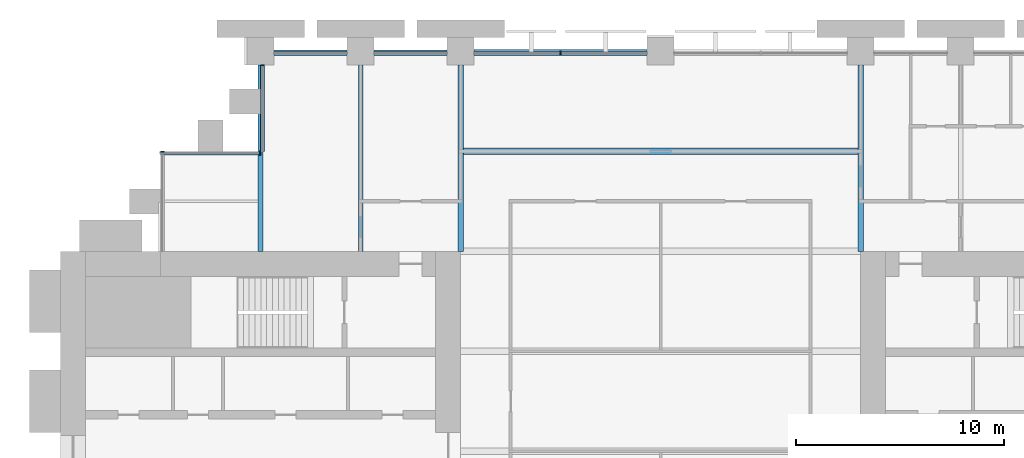
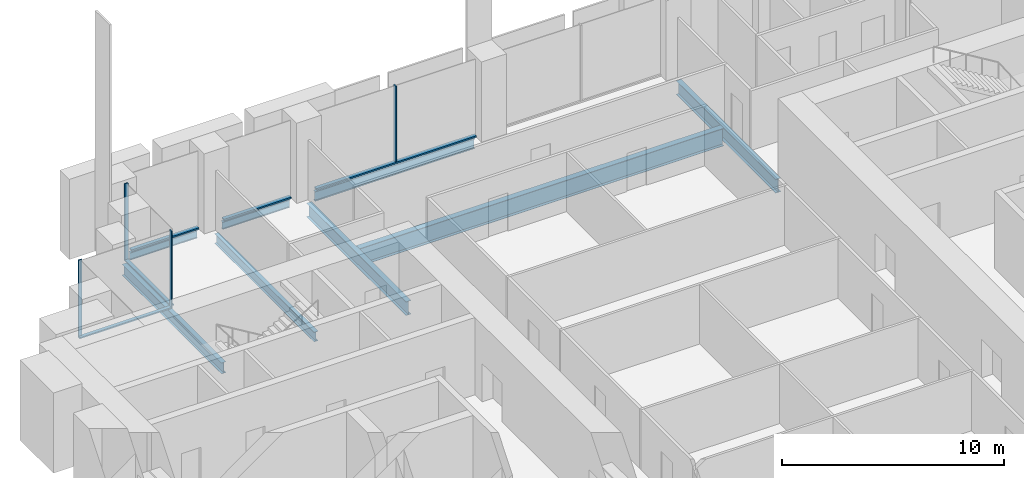
# One storey, part 12 of 22: 9 members, 8 beams, 4 elements without a shape of their own.
"""IFC4 building model written with IfcOpenShell, lengths in metres."""

from ifc_helpers import new_model, si_unit, direction, frame, origin, origin_2d, place, context, subcontext, project, spatial, rectangle, i_section, extrude, material, material_profile, profile_set, type_object, element, aggregate, save


model = new_model("IFC4")

# Units and contexts
model_context = context("Model", 3, precision=1e-05, world=origin(), true_north=direction((0.0, 1.0)))
body_context = subcontext(model_context, "Body", "Model", "MODEL_VIEW")
ifc_project = project(units=[si_unit("LENGTHUNIT", "METRE"), si_unit("AREAUNIT", "SQUARE_METRE"), si_unit("VOLUMEUNIT", "CUBIC_METRE"), si_unit("PLANEANGLEUNIT", "RADIAN"), si_unit("MASSUNIT", "GRAM", prefix="KILO")], contexts=[model_context])

# Site, building, storey
site_placement = place(None, origin())
site = spatial("IfcSite", under=ifc_project, at=site_placement, CompositionType="ELEMENT")
building_placement = place(site_placement, origin())
building = spatial("IfcBuilding", under=site, at=building_placement, Name="Baori Bourse Tower", CompositionType="ELEMENT")
storey_placement = place(building_placement, frame((0.0, 0.0, 25.800048828125)))
storey = spatial("IfcBuildingStorey", under=building, at=storey_placement, Name="L04", CompositionType="ELEMENT", Elevation=25.800048828125)

# Curtain wall, members
ifc_material_1 = material(Name="Pale anodised aluminium", Category="aluminium")
curtain_wall_type_1 = type_object("IfcCurtainWallType", Name="CW1 Curtain wall", PredefinedType="NOTDEFINED", material=ifc_material_1)
curtain_wall_1_placement = place(storey_placement, origin())
curtain_wall_1 = element("IfcCurtainWall", 1, at=curtain_wall_1_placement, inside=storey, type_object=curtain_wall_type_1, Name="Curtain wall CW1 L04 4", PredefinedType="NOTDEFINED")
ifc_material_2 = material(Name="Pale anodised aluminium", Category="aluminium")
ifc_material_profile_1 = material_profile(ifc_material_2, rectangle(XDim=0.199951171875, YDim=0.06005859375, at=origin_2d()), Name="Mullion 60x200")
ifc_profile_set_1 = profile_set([ifc_material_profile_1], Name="Pale anodised aluminium")
member_type_1 = type_object("IfcMemberType", Name="CW1 Curtain wall mullion", PredefinedType="MULLION", material=ifc_profile_set_1)
member_1_placement = place(storey_placement, frame((24.0, 47.89990234375, 0.079833984375), z_axis=(0.0, 0.0, 1.0), x_axis=(0.0, -1.0, 0.0)))
member_1 = element("IfcMember", 2, at=member_1_placement, type_object=member_type_1, Name="Curtain wall CW1 mullion", PredefinedType="MULLION", context=body_context, shape_type="SweptSolid", body=[
    extrude(rectangle(XDim=0.199951171875, YDim=0.06005859375, at=origin_2d()), origin(), (0.0, 0.0, 1.0), 4.16015625),
])
ifc_material_3 = material(Name="Pale anodised aluminium", Category="aluminium")
ifc_material_profile_2 = material_profile(ifc_material_3, rectangle(XDim=0.199951171875, YDim=0.080078125, at=origin_2d()), Name="Transom 80x200")
ifc_profile_set_2 = profile_set([ifc_material_profile_2], Name="Pale anodised aluminium")
member_type_2 = type_object("IfcMemberType", Name="CW1 Curtain wall transom", PredefinedType="USERDEFINED", material=ifc_profile_set_2)
member_2_placement = place(storey_placement, frame((28.14990234375, 47.89990234375, 0.0400390625), z_axis=(-1.0, 0.0, 0.0), x_axis=(0.0, -1.0, 0.0)))
member_2 = element("IfcMember", 3, at=member_2_placement, type_object=member_type_2, Name="Curtain wall CW1 sill rail", ObjectType="TRANSOM", PredefinedType="USERDEFINED", context=body_context, shape_type="SweptSolid", body=[
    extrude(rectangle(XDim=0.199951171875, YDim=0.080078125, at=origin_2d()), origin(), (0.0, 0.0, 1.0), 8.2998046875),
])
member_3_placement = place(storey_placement, frame((18.550048828125, 47.89990234375, 0.0400390625), z_axis=(-1.0, 0.0, 0.0), x_axis=(0.0, -1.0, 0.0)))
member_3 = element("IfcMember", 4, at=member_3_placement, type_object=member_type_2, Name="Curtain wall CW1 sill rail", ObjectType="TRANSOM", PredefinedType="USERDEFINED", context=body_context, shape_type="SweptSolid", body=[
    extrude(rectangle(XDim=0.199951171875, YDim=0.080078125, at=origin_2d()), origin(), (0.0, 0.0, 1.0), 3.5),
])
member_4_placement = place(storey_placement, frame((13.75, 47.89990234375, 0.0400390625), z_axis=(-1.0, 0.0, 0.0), x_axis=(0.0, -1.0, 0.0)))
member_4 = element("IfcMember", 5, at=member_4_placement, type_object=member_type_2, Name="Curtain wall CW1 sill rail", ObjectType="TRANSOM", PredefinedType="USERDEFINED", context=body_context, shape_type="SweptSolid", body=[
    extrude(rectangle(XDim=0.199951171875, YDim=0.080078125, at=origin_2d()), origin(), (0.0, 0.0, 1.0), 3.5),
])
aggregate(curtain_wall_1, [member_2, member_1, member_3, member_4])

# Curtain wall, member
ifc_material_4 = material(Name="Pale anodised aluminium", Category="aluminium")
curtain_wall_type_2 = type_object("IfcCurtainWallType", Name="CW2 Curtain wall", PredefinedType="NOTDEFINED", material=ifc_material_4)
curtain_wall_2_placement = place(storey_placement, origin())
curtain_wall_2 = element("IfcCurtainWall", 6, at=curtain_wall_2_placement, inside=storey, type_object=curtain_wall_type_2, Name="Curtain wall CW2 L04 5", PredefinedType="NOTDEFINED")
ifc_material_5 = material(Name="Pale anodised aluminium", Category="aluminium")
ifc_material_profile_3 = material_profile(ifc_material_5, rectangle(XDim=0.179931640625, YDim=0.054931640625, at=origin_2d()), Name="Mullion 55x180")
ifc_profile_set_3 = profile_set([ifc_material_profile_3], Name="Pale anodised aluminium")
member_type_3 = type_object("IfcMemberType", Name="CW2 Curtain wall mullion", PredefinedType="MULLION", material=ifc_profile_set_3)
member_5_placement = place(storey_placement, frame((9.68994140625, 47.322509765625, 0.070068359375), z_axis=(0.0, 0.0, 1.0), x_axis=(1.0, 0.0, 0.0)))
member_5 = element("IfcMember", 7, at=member_5_placement, type_object=member_type_3, Name="Curtain wall CW2 mullion", PredefinedType="MULLION", context=body_context, shape_type="SweptSolid", body=[
    extrude(rectangle(XDim=0.179931640625, YDim=0.054931640625, at=origin_2d()), origin(), (0.0, 0.0, 1.0), 4.169921875),
])

curtain_wall_3_placement = place(storey_placement, origin())
curtain_wall_3 = element("IfcCurtainWall", 8, at=curtain_wall_3_placement, inside=storey, type_object=curtain_wall_type_2, Name="Curtain wall CW2 L04 6", PredefinedType="NOTDEFINED")
member_6_placement = place(storey_placement, frame((9.572509765625, 43.110107421875, 0.070068359375), z_axis=(0.0, 0.0, 1.0), x_axis=(0.0, -1.0, 0.0)))
member_6 = element("IfcMember", 9, at=member_6_placement, type_object=member_type_3, Name="Curtain wall CW2 mullion", PredefinedType="MULLION", context=body_context, shape_type="SweptSolid", body=[
    extrude(rectangle(XDim=0.179931640625, YDim=0.054931640625, at=origin_2d()), origin(), (0.0, 0.0, 1.0), 4.169921875),
])

curtain_wall_4_placement = place(storey_placement, origin())
curtain_wall_4 = element("IfcCurtainWall", 10, at=curtain_wall_4_placement, inside=storey, type_object=curtain_wall_type_2, Name="Curtain wall CW2 L04 7", PredefinedType="NOTDEFINED")
member_7_placement = place(storey_placement, frame((4.889892578125, 43.172607421875, 0.070068359375), z_axis=(0.0, 0.0, 1.0), x_axis=(1.0, 0.0, 0.0)))
member_7 = element("IfcMember", 11, at=member_7_placement, type_object=member_type_3, Name="Curtain wall CW2 mullion", PredefinedType="MULLION", context=body_context, shape_type="SweptSolid", body=[
    extrude(rectangle(XDim=0.179931640625, YDim=0.054931640625, at=origin_2d()), origin(), (0.0, 0.0, 1.0), 4.169921875),
])
aggregate(curtain_wall_4, [member_7])

# Member
ifc_material_6 = material(Name="Pale anodised aluminium", Category="aluminium")
ifc_material_profile_4 = material_profile(ifc_material_6, rectangle(XDim=0.179931640625, YDim=0.070068359375, at=origin_2d()), Name="Transom 70x180")
ifc_profile_set_4 = profile_set([ifc_material_profile_4], Name="Pale anodised aluminium")
member_type_4 = type_object("IfcMemberType", Name="CW2 Curtain wall transom", PredefinedType="USERDEFINED", material=ifc_profile_set_4)
member_8_placement = place(storey_placement, frame((9.68994140625, 47.35009765625, 0.034912109375), z_axis=(0.0, -1.0, 0.0), x_axis=(1.0, 0.0, 0.0)))
member_8 = element("IfcMember", 12, at=member_8_placement, type_object=member_type_4, Name="Curtain wall CW2 sill rail", ObjectType="TRANSOM", PredefinedType="USERDEFINED", context=body_context, shape_type="SweptSolid", body=[
    extrude(rectangle(XDim=0.179931640625, YDim=0.070068359375, at=origin_2d()), origin(), (0.0, 0.0, 1.0), 4.150146484375),
])

aggregate(curtain_wall_2, [member_8, member_5])

member_9_placement = place(storey_placement, frame((9.60009765625, 43.110107421875, 0.034912109375), z_axis=(-1.0, 0.0, 0.0), x_axis=(0.0, -1.0, 0.0)))
member_9 = element("IfcMember", 13, at=member_9_placement, type_object=member_type_4, Name="Curtain wall CW2 sill rail", ObjectType="TRANSOM", PredefinedType="USERDEFINED", context=body_context, shape_type="SweptSolid", body=[
    extrude(rectangle(XDim=0.179931640625, YDim=0.070068359375, at=origin_2d()), origin(), (0.0, 0.0, 1.0), 4.800048828125),
])

aggregate(curtain_wall_3, [member_9, member_6])

# Beams
ifc_material_7 = material(Name="Steel A992 Gr 50", Category="steel")
ifc_material_profile_5 = material_profile(ifc_material_7, i_section(OverallWidth=0.140380859375, OverallDepth=0.40380859375, WebThickness=0.007080078125, FlangeThickness=0.01123046875, at=origin_2d()), Name="W16x31")
ifc_profile_set_5 = profile_set([ifc_material_profile_5], Name="Steel A992 Gr 50")
beam_type_1 = type_object("IfcBeamType", Name="Edge beam W16x31", PredefinedType="BEAM", material=ifc_profile_set_5)
for number, where, z_axis, x_axis, name in (
    (14, (10.25, 48.0, -0.362060546875), (1.0, 0.0, 0.0), (0.0, 1.0, 0.0), "Edge beam L04"),
    (15, (15.050048828125, 48.0, -0.362060546875), (1.0, 0.0, 0.0), (0.0, 1.0, 0.0), "Edge beam L04"),
):
    element("IfcBeam", number, at=place(storey_placement, frame(where, z_axis=z_axis, x_axis=x_axis)), inside=storey, type_object=beam_type_1, Name=name, PredefinedType="BEAM", context=body_context, shape_type="SweptSolid", body=[
        extrude(i_section(OverallWidth=0.140380859375, OverallDepth=0.40380859375, WebThickness=0.007080078125, FlangeThickness=0.01123046875, at=origin_2d()), origin(), (0.0, 0.0, 1.0), 3.5),
    ])
ifc_material_8 = material(Name="Steel A992 Gr 50", Category="steel")
ifc_material_profile_6 = material_profile(ifc_material_8, i_section(OverallWidth=0.1650390625, OverallDepth=0.52587890625, WebThickness=0.0087890625, FlangeThickness=0.011474609375, at=origin_2d()), Name="W21x44")
ifc_profile_set_6 = profile_set([ifc_material_profile_6], Name="Steel A992 Gr 50")
beam_type_2 = type_object("IfcBeamType", Name="Edge beam W21x44", PredefinedType="BEAM", material=ifc_profile_set_6)
beam_1_placement = place(storey_placement, frame((19.85009765625, 48.0, -0.4228515625), z_axis=(1.0, 0.0, 0.0), x_axis=(0.0, 1.0, 0.0)))
element("IfcBeam", 16, at=beam_1_placement, inside=storey, type_object=beam_type_2, Name="Edge beam L04", PredefinedType="BEAM", context=body_context, shape_type="SweptSolid", body=[
    extrude(i_section(OverallWidth=0.1650390625, OverallDepth=0.52587890625, WebThickness=0.0087890625, FlangeThickness=0.011474609375, at=origin_2d()), origin(), (0.0, 0.0, 1.0), 8.2998046875),
])
ifc_material_9 = material(Name="Steel A992 Gr 50", Category="steel")
ifc_material_profile_7 = material_profile(ifc_material_9, i_section(OverallWidth=0.209228515625, OverallDepth=0.533447265625, WebThickness=0.01025390625, FlangeThickness=0.015625, at=origin_2d()), Name="W21x62")
ifc_profile_set_7 = profile_set([ifc_material_profile_7], Name="Steel A992 Gr 50")
beam_type_3 = type_object("IfcBeamType", Name="Floor beam W21x62", PredefinedType="BEAM", material=ifc_profile_set_7)
beam_2_placement = place(storey_placement, frame((14.39990234375, 38.39990234375, -0.4267578125), z_axis=(0.0, 1.0, 0.0), x_axis=(-1.0, 0.0, 0.0)))
element("IfcBeam", 17, at=beam_2_placement, inside=storey, type_object=beam_type_3, Name="Floor beam L04", PredefinedType="BEAM", context=body_context, shape_type="SweptSolid", body=[
    extrude(i_section(OverallWidth=0.209228515625, OverallDepth=0.533447265625, WebThickness=0.01025390625, FlangeThickness=0.015625, at=origin_2d()), origin(), (0.0, 0.0, 1.0), 8.9501953125),
])
ifc_material_10 = material(Name="Steel A992 Gr 50", Category="steel")
ifc_material_profile_8 = material_profile(ifc_material_10, i_section(OverallWidth=0.227783203125, OverallDepth=0.60205078125, WebThickness=0.010498046875, FlangeThickness=0.014892578125, at=origin_2d()), Name="W24x68")
ifc_profile_set_8 = profile_set([ifc_material_profile_8], Name="Steel A992 Gr 50")
beam_type_4 = type_object("IfcBeamType", Name="Floor beam W24x68", PredefinedType="BEAM", material=ifc_profile_set_8)
beam_3_placement = place(storey_placement, frame((9.60009765625, 38.39990234375, -0.4609375), z_axis=(0.0, 1.0, 0.0), x_axis=(-1.0, 0.0, 0.0)))
element("IfcBeam", 18, at=beam_3_placement, inside=storey, type_object=beam_type_4, Name="Floor beam L04", PredefinedType="BEAM", context=body_context, shape_type="SweptSolid", body=[
    extrude(i_section(OverallWidth=0.227783203125, OverallDepth=0.60205078125, WebThickness=0.010498046875, FlangeThickness=0.014892578125, at=origin_2d()), origin(), (0.0, 0.0, 1.0), 8.9501953125),
])
ifc_material_11 = material(Name="Steel A992 Gr 50", Category="steel")
ifc_material_profile_9 = material_profile(ifc_material_11, i_section(OverallWidth=0.2998046875, OverallDepth=0.97021484375, WebThickness=0.01611328125, FlangeThickness=0.02099609375, at=origin_2d()), Name="W40x149")
ifc_profile_set_9 = profile_set([ifc_material_profile_9], Name="Steel A992 Gr 50")
beam_type_5 = type_object("IfcBeamType", Name="Floor beam W40x149", PredefinedType="BEAM", material=ifc_profile_set_9)
beam_4_placement = place(storey_placement, frame((19.333251953125, 43.199951171875, -0.645263671875), z_axis=(1.0, 0.0, 0.0), x_axis=(0.0, 1.0, 0.0)))
element("IfcBeam", 19, at=beam_4_placement, inside=storey, type_object=beam_type_5, Name="Floor beam L04", PredefinedType="BEAM", context=body_context, shape_type="SweptSolid", body=[
    extrude(i_section(OverallWidth=0.2998046875, OverallDepth=0.97021484375, WebThickness=0.01611328125, FlangeThickness=0.02099609375, at=origin_2d()), origin(), (0.0, 0.0, 1.0), 18.933349609375),
])
ifc_material_12 = material(Name="Steel A992 Gr 50", Category="steel")
ifc_material_profile_10 = material_profile(ifc_material_12, i_section(OverallWidth=0.2666015625, OverallDepth=0.7568359375, WebThickness=0.013916015625, FlangeThickness=0.019287109375, at=origin_2d()), Name="W30x108")
ifc_profile_set_10 = profile_set([ifc_material_profile_10], Name="Steel A992 Gr 50")
beam_type_6 = type_object("IfcBeamType", Name="Girder W30x108", PredefinedType="BEAM", material=ifc_profile_set_10)
for number, where, z_axis, x_axis, name in (
    (20, (19.199951171875, 38.39990234375, -0.53857421875), (0.0, 1.0, 0.0), (-1.0, 0.0, 0.0), "Girder L04"),
    (21, (38.39990234375, 38.39990234375, -0.53857421875), (0.0, 1.0, 0.0), (-1.0, 0.0, 0.0), "Girder L04"),
):
    element("IfcBeam", number, at=place(storey_placement, frame(where, z_axis=z_axis, x_axis=x_axis)), inside=storey, type_object=beam_type_6, Name=name, PredefinedType="BEAM", context=body_context, shape_type="SweptSolid", body=[
        extrude(i_section(OverallWidth=0.2666015625, OverallDepth=0.7568359375, WebThickness=0.013916015625, FlangeThickness=0.019287109375, at=origin_2d()), origin(), (0.0, 0.0, 1.0), 8.9501953125),
    ])

save(model, "model.ifc")
